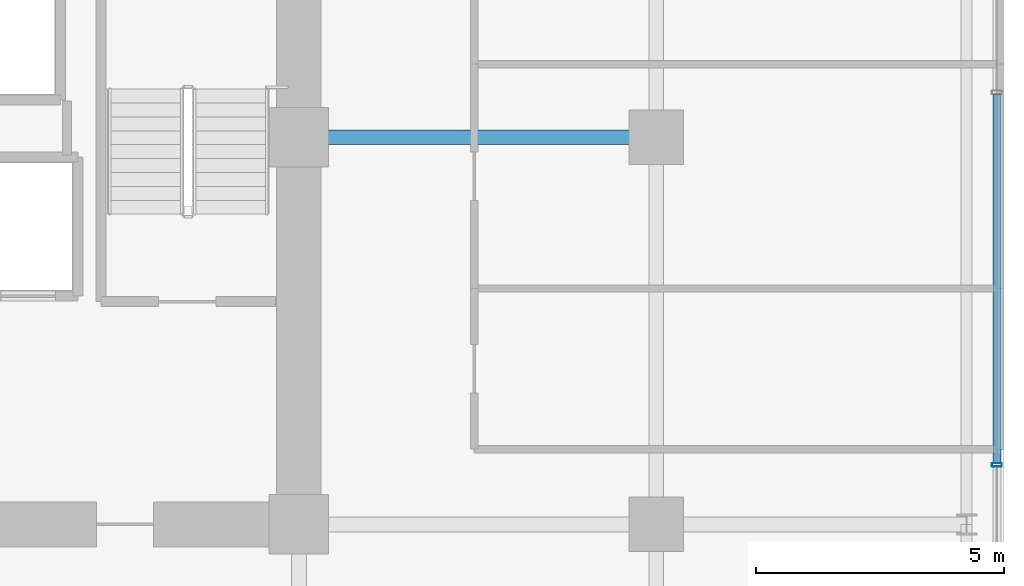
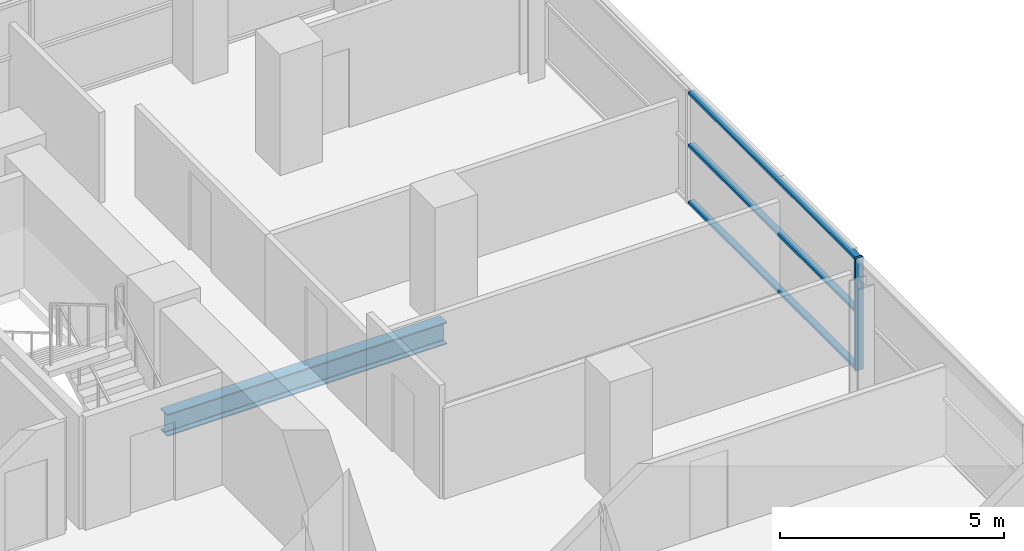
# One storey, part 15 of 31: 4 members, 1 beam, 1 element without a shape of its own.
"""IFC4 building model written with IfcOpenShell, lengths in metres."""

from ifc_helpers import new_model, si_unit, direction, frame, origin, origin_2d, place, context, subcontext, project, spatial, hollow_rectangle, i_section, extrude, source, transform, mapped, material, layer, layer_set, material_profile, profile_set, type_object, element, aggregate, save


model = new_model("IFC4")

# Units and contexts
model_context = context("Model", 3, precision=1e-05, world=origin(), true_north=direction((0.0, 1.0)))
body_context = subcontext(model_context, "Body", "Model", "MODEL_VIEW")
ifc_project = project(units=[si_unit("LENGTHUNIT", "METRE"), si_unit("AREAUNIT", "SQUARE_METRE"), si_unit("VOLUMEUNIT", "CUBIC_METRE"), si_unit("PLANEANGLEUNIT", "RADIAN"), si_unit("MASSUNIT", "GRAM", prefix="KILO")], contexts=[model_context])

# Site, building, storey
site_placement = place(None, origin())
site = spatial("IfcSite", under=ifc_project, at=site_placement, CompositionType="ELEMENT")
building_placement = place(site_placement, origin())
building = spatial("IfcBuilding", under=site, at=building_placement, Name="Zarnakvel Exchange Tower", CompositionType="ELEMENT")
storey_placement = place(building_placement, frame((0.0, 0.0, 47.199951171875)))
storey = spatial("IfcBuildingStorey", under=building, at=storey_placement, Name="L12", CompositionType="ELEMENT", Elevation=47.199951171875)

# Beam
ifc_material_1 = material(Name="Steel S355", Category="steel")
ifc_material_profile_1 = material_profile(ifc_material_1, i_section(OverallWidth=0.300048828125, OverallDepth=0.60009765625, WebThickness=0.015380859375, FlangeThickness=0.030029296875, FilletRadius=0.027099609375, at=origin_2d()))
ifc_profile_set_1 = profile_set([ifc_material_profile_1], Name="Steel S355")
beam_type = type_object("IfcBeamType", Name="G-04", PredefinedType="BEAM", material=ifc_profile_set_1)
beam_placement = place(storey_placement, frame((14.39990234375, 6.60009765625, -0.52490234375), z_axis=(1.0, 0.0, 0.0), x_axis=(0.0, 1.0, 0.0)))
element("IfcBeam", 1, at=beam_placement, inside=storey, type_object=beam_type, Name="L12 Tower E-W Frame Beam", PredefinedType="BEAM", context=body_context, shape_type="SweptSolid", body=[
    extrude(i_section(OverallWidth=0.300048828125, OverallDepth=0.60009765625, WebThickness=0.015380859375, FlangeThickness=0.030029296875, FilletRadius=0.027099609375, at=origin_2d()), origin(), (0.0, 0.0, 1.0), 7.2001953125),
])

# Curtain wall, members
ifc_material_2 = material(Name="Architectural Bronze Anodised Aluminium", Category="aluminium")
ifc_layer = layer(ifc_material_2, 0.199951171875)
ifc_layer_set = layer_set([ifc_layer], Name="Architectural Bronze Anodised Aluminium")
curtain_wall_type = type_object("IfcCurtainWallType", Name="CW-04", PredefinedType="NOTDEFINED", material=ifc_layer_set)
curtain_wall_placement = place(storey_placement, origin())
curtain_wall = element("IfcCurtainWall", 2, at=curtain_wall_placement, inside=storey, type_object=curtain_wall_type, Name="L12 Curtain Wall CW-L12-E1 (CW-04)", PredefinedType="NOTDEFINED")
ifc_material_profile_2 = material_profile(ifc_material_2, hollow_rectangle(XDim=0.159912109375, YDim=0.074951171875, WallThickness=0.00390625, at=origin_2d()))
ifc_profile_set_2 = profile_set([ifc_material_profile_2], Name="Architectural Bronze Anodised Aluminium")
member_type_1 = type_object("IfcMemberType", Name="CWT-04", PredefinedType="USERDEFINED", material=ifc_profile_set_2)
shared_shape_1 = source(origin(), body_context, "Body", "SweptSolid", [
    extrude(hollow_rectangle(XDim=0.159912109375, YDim=0.074951171875, WallThickness=0.00390625, at=origin_2d()), origin(), (0.0, 0.0, 1.0), 7.4248046875),
])
member_1_placement = place(storey_placement, frame((28.4599609375, 0.03759765625, 0.03759765625), z_axis=(0.0, 1.0, 0.0), x_axis=(-1.0, 0.0, 0.0)))
member_1 = element("IfcMember", 3, at=member_1_placement, type_object=member_type_1, Name="CW-04 transom 3.1", ObjectType="TRANSOM", PredefinedType="USERDEFINED", context=body_context, shape_type="MappedRepresentation", body=[
    mapped(shared_shape_1, transform((0.0, 0.0, 0.0), x_axis=(1.0, 0.0, 0.0), y_axis=(0.0, 1.0, 0.0), z_axis=(0.0, 0.0, 1.0), scale=1.0)),
])
member_2_placement = place(storey_placement, frame((28.4599609375, 0.03759765625, 1.588623046875), z_axis=(0.0, 1.0, 0.0), x_axis=(-1.0, 0.0, 0.0)))
member_2 = element("IfcMember", 4, at=member_2_placement, type_object=member_type_1, Name="CW-04 transom 3.2", ObjectType="TRANSOM", PredefinedType="USERDEFINED", context=body_context, shape_type="MappedRepresentation", body=[
    mapped(shared_shape_1, transform((0.0, 0.0, 0.0), x_axis=(1.0, 0.0, 0.0), y_axis=(0.0, 1.0, 0.0), z_axis=(0.0, 0.0, 1.0), scale=1.0)),
])
member_3_placement = place(storey_placement, frame((28.4599609375, 0.03759765625, 3.017578125), z_axis=(0.0, 1.0, 0.0), x_axis=(-1.0, 0.0, 0.0)))
member_3 = element("IfcMember", 5, at=member_3_placement, type_object=member_type_1, Name="CW-04 transom 3.3", ObjectType="TRANSOM", PredefinedType="USERDEFINED", context=body_context, shape_type="MappedRepresentation", body=[
    mapped(shared_shape_1, transform((0.0, 0.0, 0.0), x_axis=(1.0, 0.0, 0.0), y_axis=(0.0, 1.0, 0.0), z_axis=(0.0, 0.0, 1.0), scale=1.0)),
])
ifc_material_profile_3 = material_profile(ifc_material_2, hollow_rectangle(XDim=0.199951171875, YDim=0.074951171875, WallThickness=0.0048828125, at=origin_2d()))
ifc_profile_set_3 = profile_set([ifc_material_profile_3], Name="Architectural Bronze Anodised Aluminium")
member_type_2 = type_object("IfcMemberType", Name="CWM-04", PredefinedType="MULLION", material=ifc_profile_set_3)
shared_shape_2 = source(origin(), body_context, "Body", "SweptSolid", [
    extrude(hollow_rectangle(XDim=0.199951171875, YDim=0.074951171875, WallThickness=0.0048828125, at=origin_2d()), origin(), (0.0, 0.0, 1.0), 3.054931640625),
])
member_4_placement = place(storey_placement, frame((28.4599609375, 0.0, 0.0), z_axis=(0.0, 0.0, 1.0), x_axis=(-1.0, 0.0, 0.0)))
member_4 = element("IfcMember", 6, at=member_4_placement, type_object=member_type_2, Name="CW-04 mullion 3", PredefinedType="MULLION", context=body_context, shape_type="MappedRepresentation", body=[
    mapped(shared_shape_2, transform((0.0, 0.0, 0.0), x_axis=(1.0, 0.0, 0.0), y_axis=(0.0, 1.0, 0.0), z_axis=(0.0, 0.0, 1.0), scale=1.0)),
])
aggregate(curtain_wall, [member_4, member_1, member_2, member_3])

save(model, "model.ifc")
